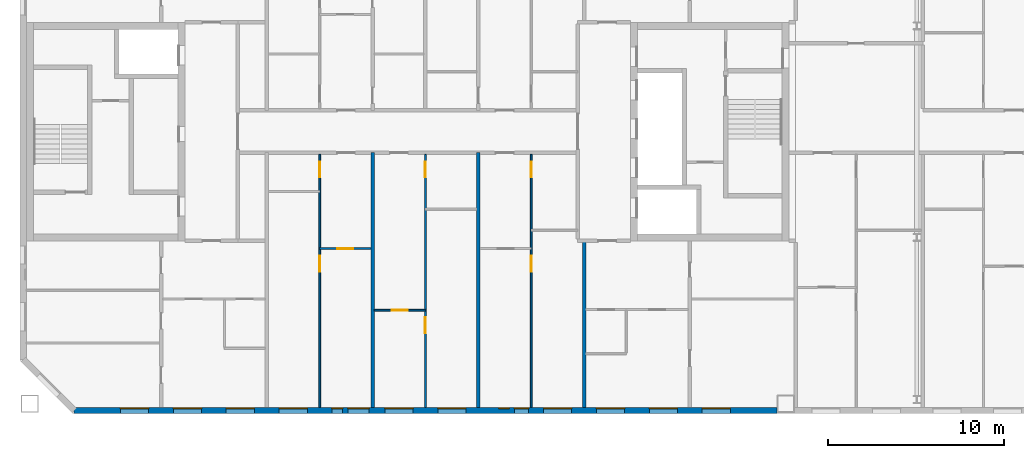
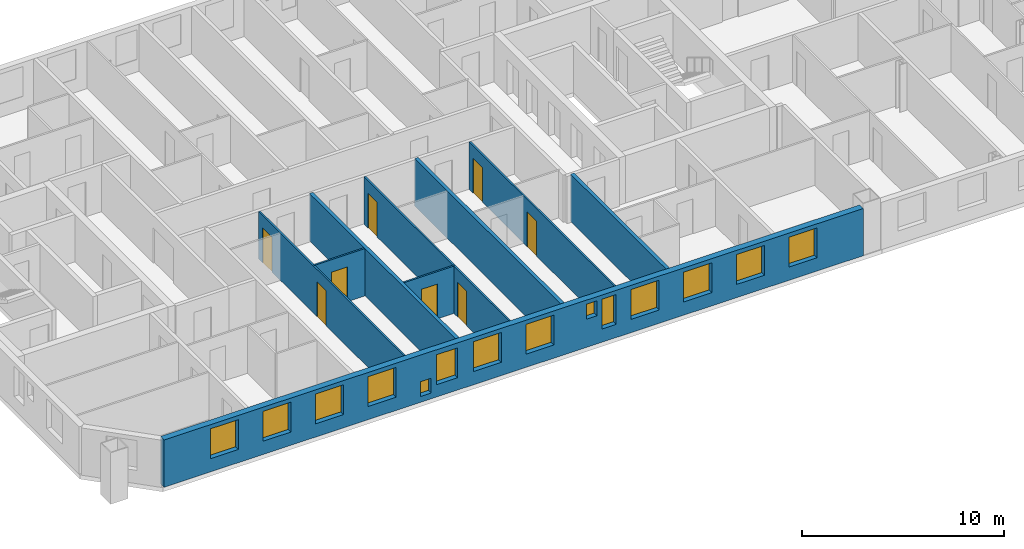
# One storey, part 5 of 19: 14 windows, 9 walls, 8 doors, 22 openings.
"""IFC4 building model written with IfcOpenShell, lengths in metres."""

from ifc_helpers import new_model, si_unit, direction, frame, frame_2d, origin, place, context, subcontext, project, spatial, rectangle, extrude, material, layer, layer_set, type_object, element, fill, save


model = new_model("IFC4")

# Units and contexts
model_context = context("Model", 3, precision=1e-05, world=origin(), true_north=direction((0.0, 1.0)))
body_context = subcontext(model_context, "Body", "Model", "MODEL_VIEW")
ifc_project = project(units=[si_unit("LENGTHUNIT", "METRE"), si_unit("AREAUNIT", "SQUARE_METRE"), si_unit("VOLUMEUNIT", "CUBIC_METRE"), si_unit("PLANEANGLEUNIT", "RADIAN"), si_unit("MASSUNIT", "GRAM", prefix="KILO")], contexts=[model_context])

# Site, building, storey
site_placement = place(None, origin())
site = spatial("IfcSite", under=ifc_project, at=site_placement, CompositionType="ELEMENT")
building_placement = place(site_placement, origin())
building = spatial("IfcBuilding", under=site, at=building_placement, Name="Tuart Gate Housing", CompositionType="ELEMENT")
storey_placement = place(building_placement, frame((0.0, 0.0, 227.60009765625)))
storey = spatial("IfcBuildingStorey", under=building, at=storey_placement, Name="L64", CompositionType="ELEMENT", Elevation=227.60009765625)

# Wall, openings, windows
ifc_material_1 = material(Name="Brick", Category="masonry")
ifc_layer_1 = layer(ifc_material_1, 0.360107421875)
ifc_layer_set_1 = layer_set([ifc_layer_1], Name="Brick pier and spandrel wall 360")
wall_type_1 = type_object("IfcWallType", Name="Brick pier and spandrel wall 360", PredefinedType="STANDARD", material=ifc_layer_set_1)
wall_1_placement = place(storey_placement, frame((35.07470703125, 54.179931640625, 0.0), z_axis=(0.0, 0.0, 1.0), x_axis=(1.0, 0.0, 0.0)))
wall_1 = element("IfcWall", 1, at=wall_1_placement, inside=storey, type_object=wall_type_1, Name="External wall BLK-S L64", PredefinedType="STANDARD", context=body_context, shape_type="SweptSolid", body=[
    extrude(rectangle(XDim=39.875244140625, YDim=0.360107421875, at=frame_2d((19.9375, 0.0))), origin(), (0.0, 0.0, 1.0), 2.849853515625),
])
opening_1_placement = place(wall_1_placement, frame((2.62548828125, 0.0, 0.800048828125)))
opening_1 = element("IfcOpeningElement", 2, at=opening_1_placement, cuts=wall_1, Name="Opening W1", PredefinedType="OPENING", context=body_context, shape_type="SweptSolid", body=[
    extrude(rectangle(XDim=1.60009765625, YDim=1.800048828125, at=frame_2d((0.800048828125, 0.89990234375))), frame((0.0, 0.18994140625, 0.0), z_axis=(0.0, -1.0, 0.0), x_axis=(1.0, 0.0, 0.0)), (0.0, 0.0, 1.0), 0.380126953125),
])
opening_2_placement = place(wall_1_placement, frame((5.62548828125, 0.0, 0.800048828125)))
opening_2 = element("IfcOpeningElement", 3, at=opening_2_placement, cuts=wall_1, Name="Opening W1", PredefinedType="OPENING", context=body_context, shape_type="SweptSolid", body=[
    extrude(rectangle(XDim=1.60009765625, YDim=1.800048828125, at=frame_2d((0.800048828125, 0.89990234375))), frame((0.0, 0.18994140625, 0.0), z_axis=(0.0, -1.0, 0.0), x_axis=(1.0, 0.0, 0.0)), (0.0, 0.0, 1.0), 0.380126953125),
])
opening_3_placement = place(wall_1_placement, frame((8.62548828125, 0.0, 0.800048828125)))
opening_3 = element("IfcOpeningElement", 4, at=opening_3_placement, cuts=wall_1, Name="Opening W1", PredefinedType="OPENING", context=body_context, shape_type="SweptSolid", body=[
    extrude(rectangle(XDim=1.60009765625, YDim=1.800048828125, at=frame_2d((0.800048828125, 0.89990234375))), frame((0.0, 0.18994140625, 0.0), z_axis=(0.0, -1.0, 0.0), x_axis=(1.0, 0.0, 0.0)), (0.0, 0.0, 1.0), 0.380126953125),
])
opening_4_placement = place(wall_1_placement, frame((11.62548828125, 0.0, 0.800048828125)))
opening_4 = element("IfcOpeningElement", 5, at=opening_4_placement, cuts=wall_1, Name="Opening W1", PredefinedType="OPENING", context=body_context, shape_type="SweptSolid", body=[
    extrude(rectangle(XDim=1.60009765625, YDim=1.800048828125, at=frame_2d((0.800048828125, 0.89990234375))), frame((0.0, 0.18994140625, 0.0), z_axis=(0.0, -1.0, 0.0), x_axis=(1.0, 0.0, 0.0)), (0.0, 0.0, 1.0), 0.380126953125),
])
opening_5_placement = place(wall_1_placement, frame((14.62548828125, 0.0, 0.35009765625)))
opening_5 = element("IfcOpeningElement", 6, at=opening_5_placement, cuts=wall_1, Name="Opening W1W", PredefinedType="OPENING", context=body_context, shape_type="SweptSolid", body=[
    extrude(rectangle(XDim=0.60009765625, YDim=0.89990234375, at=frame_2d((0.300048828125, 0.449951171875))), frame((0.0, 0.18994140625, 0.0), z_axis=(0.0, -1.0, 0.0), x_axis=(1.0, 0.0, 0.0)), (0.0, 0.0, 1.0), 0.380126953125),
])
opening_6_placement = place(wall_1_placement, frame((17.62548828125, 0.0, 0.800048828125)))
opening_6 = element("IfcOpeningElement", 7, at=opening_6_placement, cuts=wall_1, Name="Opening W1", PredefinedType="OPENING", context=body_context, shape_type="SweptSolid", body=[
    extrude(rectangle(XDim=1.60009765625, YDim=1.800048828125, at=frame_2d((0.800048828125, 0.89990234375))), frame((0.0, 0.18994140625, 0.0), z_axis=(0.0, -1.0, 0.0), x_axis=(1.0, 0.0, 0.0)), (0.0, 0.0, 1.0), 0.380126953125),
])
opening_7_placement = place(wall_1_placement, frame((20.62548828125, 0.0, 0.800048828125)))
opening_7 = element("IfcOpeningElement", 8, at=opening_7_placement, cuts=wall_1, Name="Opening W1", PredefinedType="OPENING", context=body_context, shape_type="SweptSolid", body=[
    extrude(rectangle(XDim=1.60009765625, YDim=1.800048828125, at=frame_2d((0.800048828125, 0.89990234375))), frame((0.0, 0.18994140625, 0.0), z_axis=(0.0, -1.0, 0.0), x_axis=(1.0, 0.0, 0.0)), (0.0, 0.0, 1.0), 0.380126953125),
])
opening_8_placement = place(wall_1_placement, frame((24.075439453125, 0.0, 1.699951171875)))
opening_8 = element("IfcOpeningElement", 9, at=opening_8_placement, cuts=wall_1, Name="Opening W1W", PredefinedType="OPENING", context=body_context, shape_type="SweptSolid", body=[
    extrude(rectangle(XDim=0.60009765625, YDim=0.89990234375, at=frame_2d((0.300048828125, 0.449951171875))), frame((0.0, 0.18994140625, 0.0), z_axis=(0.0, -1.0, 0.0), x_axis=(1.0, 0.0, 0.0)), (0.0, 0.0, 1.0), 0.380126953125),
])
opening_9_placement = place(wall_1_placement, frame((26.62548828125, 0.0, 0.800048828125)))
opening_9 = element("IfcOpeningElement", 10, at=opening_9_placement, cuts=wall_1, Name="Opening W1", PredefinedType="OPENING", context=body_context, shape_type="SweptSolid", body=[
    extrude(rectangle(XDim=1.60009765625, YDim=1.800048828125, at=frame_2d((0.800048828125, 0.89990234375))), frame((0.0, 0.18994140625, 0.0), z_axis=(0.0, -1.0, 0.0), x_axis=(1.0, 0.0, 0.0)), (0.0, 0.0, 1.0), 0.380126953125),
])
opening_10_placement = place(wall_1_placement, frame((29.62548828125, 0.0, 0.800048828125)))
opening_10 = element("IfcOpeningElement", 11, at=opening_10_placement, cuts=wall_1, Name="Opening W1", PredefinedType="OPENING", context=body_context, shape_type="SweptSolid", body=[
    extrude(rectangle(XDim=1.60009765625, YDim=1.800048828125, at=frame_2d((0.800048828125, 0.89990234375))), frame((0.0, 0.18994140625, 0.0), z_axis=(0.0, -1.0, 0.0), x_axis=(1.0, 0.0, 0.0)), (0.0, 0.0, 1.0), 0.380126953125),
])
opening_11_placement = place(wall_1_placement, frame((32.62548828125, 0.0, 0.800048828125)))
opening_11 = element("IfcOpeningElement", 12, at=opening_11_placement, cuts=wall_1, Name="Opening W1", PredefinedType="OPENING", context=body_context, shape_type="SweptSolid", body=[
    extrude(rectangle(XDim=1.60009765625, YDim=1.800048828125, at=frame_2d((0.800048828125, 0.89990234375))), frame((0.0, 0.18994140625, 0.0), z_axis=(0.0, -1.0, 0.0), x_axis=(1.0, 0.0, 0.0)), (0.0, 0.0, 1.0), 0.380126953125),
])
opening_12_placement = place(wall_1_placement, frame((35.62548828125, 0.0, 0.800048828125)))
opening_12 = element("IfcOpeningElement", 13, at=opening_12_placement, cuts=wall_1, Name="Opening W1", PredefinedType="OPENING", context=body_context, shape_type="SweptSolid", body=[
    extrude(rectangle(XDim=1.60009765625, YDim=1.800048828125, at=frame_2d((0.800048828125, 0.89990234375))), frame((0.0, 0.18994140625, 0.0), z_axis=(0.0, -1.0, 0.0), x_axis=(1.0, 0.0, 0.0)), (0.0, 0.0, 1.0), 0.380126953125),
])
opening_13_placement = place(wall_1_placement, frame((15.525390625, 0.0, 0.75)))
opening_13 = element("IfcOpeningElement", 14, at=opening_13_placement, cuts=wall_1, Name="Opening W1B", PredefinedType="OPENING", context=body_context, shape_type="SweptSolid", body=[
    extrude(rectangle(XDim=1.199951171875, YDim=1.800048828125, at=frame_2d((0.60009765625, 0.89990234375))), frame((0.0, 0.18994140625, 0.0), z_axis=(0.0, -1.0, 0.0), x_axis=(1.0, 0.0, 0.0)), (0.0, 0.0, 1.0), 0.380126953125),
])
opening_14_placement = place(wall_1_placement, frame((24.975341796875, 0.0, 0.800048828125)))
opening_14 = element("IfcOpeningElement", 15, at=opening_14_placement, cuts=wall_1, Name="Opening W1D", PredefinedType="OPENING", context=body_context, shape_type="SweptSolid", body=[
    extrude(rectangle(XDim=0.800048828125, YDim=1.800048828125, at=frame_2d((0.39990234375, 0.89990234375))), frame((0.0, 0.18994140625, 0.0), z_axis=(0.0, -1.0, 0.0), x_axis=(1.0, 0.0, 0.0)), (0.0, 0.0, 1.0), 0.380126953125),
])
ifc_material_2 = material(Name="Aluminium frame with clear glass", Category="aluminium")
window_type_1 = type_object("IfcWindowType", Name="Punched window 1200 x 1800", PartitioningType="SINGLE_PANEL", PredefinedType="WINDOW", material=ifc_material_2)
window_1_placement = place(opening_13_placement, origin())
window_1 = element("IfcWindow", 16, at=window_1_placement, inside=storey, type_object=window_type_1, Name="Window W1B", OverallHeight=1.800048828125, OverallWidth=1.199951171875, PartitioningType="SINGLE_PANEL", PredefinedType="WINDOW", context=body_context, shape_type="SweptSolid", body=[
    extrude(rectangle(XDim=1.199951171875, YDim=1.800048828125, at=frame_2d((0.60009765625, 0.89990234375))), frame((0.0, 0.150146484375, 0.0), z_axis=(0.0, -1.0, 0.0), x_axis=(1.0, 0.0, 0.0)), (0.0, 0.0, 1.0), 0.06005859375),
])
fill(opening_13, window_1)
ifc_material_3 = material(Name="Aluminium frame with clear glass", Category="aluminium")
window_type_2 = type_object("IfcWindowType", Name="Punched window 1600 x 1800", PartitioningType="SINGLE_PANEL", PredefinedType="WINDOW", material=ifc_material_3)
window_2_placement = place(opening_1_placement, origin())
window_2 = element("IfcWindow", 17, at=window_2_placement, inside=storey, type_object=window_type_2, Name="Window W1", OverallHeight=1.800048828125, OverallWidth=1.60009765625, PartitioningType="SINGLE_PANEL", PredefinedType="WINDOW", context=body_context, shape_type="SweptSolid", body=[
    extrude(rectangle(XDim=1.60009765625, YDim=1.800048828125, at=frame_2d((0.800048828125, 0.89990234375))), frame((0.0, 0.150146484375, 0.0), z_axis=(0.0, -1.0, 0.0), x_axis=(1.0, 0.0, 0.0)), (0.0, 0.0, 1.0), 0.06005859375),
])
fill(opening_1, window_2)
window_3_placement = place(opening_2_placement, origin())
window_3 = element("IfcWindow", 18, at=window_3_placement, inside=storey, type_object=window_type_2, Name="Window W1", OverallHeight=1.800048828125, OverallWidth=1.60009765625, PartitioningType="SINGLE_PANEL", PredefinedType="WINDOW", context=body_context, shape_type="SweptSolid", body=[
    extrude(rectangle(XDim=1.60009765625, YDim=1.800048828125, at=frame_2d((0.800048828125, 0.89990234375))), frame((0.0, 0.150146484375, 0.0), z_axis=(0.0, -1.0, 0.0), x_axis=(1.0, 0.0, 0.0)), (0.0, 0.0, 1.0), 0.06005859375),
])
fill(opening_2, window_3)
window_4_placement = place(opening_3_placement, origin())
window_4 = element("IfcWindow", 19, at=window_4_placement, inside=storey, type_object=window_type_2, Name="Window W1", OverallHeight=1.800048828125, OverallWidth=1.60009765625, PartitioningType="SINGLE_PANEL", PredefinedType="WINDOW", context=body_context, shape_type="SweptSolid", body=[
    extrude(rectangle(XDim=1.60009765625, YDim=1.800048828125, at=frame_2d((0.800048828125, 0.89990234375))), frame((0.0, 0.150146484375, 0.0), z_axis=(0.0, -1.0, 0.0), x_axis=(1.0, 0.0, 0.0)), (0.0, 0.0, 1.0), 0.06005859375),
])
fill(opening_3, window_4)
window_5_placement = place(opening_4_placement, origin())
window_5 = element("IfcWindow", 20, at=window_5_placement, inside=storey, type_object=window_type_2, Name="Window W1", OverallHeight=1.800048828125, OverallWidth=1.60009765625, PartitioningType="SINGLE_PANEL", PredefinedType="WINDOW", context=body_context, shape_type="SweptSolid", body=[
    extrude(rectangle(XDim=1.60009765625, YDim=1.800048828125, at=frame_2d((0.800048828125, 0.89990234375))), frame((0.0, 0.150146484375, 0.0), z_axis=(0.0, -1.0, 0.0), x_axis=(1.0, 0.0, 0.0)), (0.0, 0.0, 1.0), 0.06005859375),
])
fill(opening_4, window_5)
window_6_placement = place(opening_6_placement, origin())
window_6 = element("IfcWindow", 21, at=window_6_placement, inside=storey, type_object=window_type_2, Name="Window W1", OverallHeight=1.800048828125, OverallWidth=1.60009765625, PartitioningType="SINGLE_PANEL", PredefinedType="WINDOW", context=body_context, shape_type="SweptSolid", body=[
    extrude(rectangle(XDim=1.60009765625, YDim=1.800048828125, at=frame_2d((0.800048828125, 0.89990234375))), frame((0.0, 0.150146484375, 0.0), z_axis=(0.0, -1.0, 0.0), x_axis=(1.0, 0.0, 0.0)), (0.0, 0.0, 1.0), 0.06005859375),
])
fill(opening_6, window_6)
window_7_placement = place(opening_7_placement, origin())
window_7 = element("IfcWindow", 22, at=window_7_placement, inside=storey, type_object=window_type_2, Name="Window W1", OverallHeight=1.800048828125, OverallWidth=1.60009765625, PartitioningType="SINGLE_PANEL", PredefinedType="WINDOW", context=body_context, shape_type="SweptSolid", body=[
    extrude(rectangle(XDim=1.60009765625, YDim=1.800048828125, at=frame_2d((0.800048828125, 0.89990234375))), frame((0.0, 0.150146484375, 0.0), z_axis=(0.0, -1.0, 0.0), x_axis=(1.0, 0.0, 0.0)), (0.0, 0.0, 1.0), 0.06005859375),
])
fill(opening_7, window_7)
window_8_placement = place(opening_9_placement, origin())
window_8 = element("IfcWindow", 23, at=window_8_placement, inside=storey, type_object=window_type_2, Name="Window W1", OverallHeight=1.800048828125, OverallWidth=1.60009765625, PartitioningType="SINGLE_PANEL", PredefinedType="WINDOW", context=body_context, shape_type="SweptSolid", body=[
    extrude(rectangle(XDim=1.60009765625, YDim=1.800048828125, at=frame_2d((0.800048828125, 0.89990234375))), frame((0.0, 0.150146484375, 0.0), z_axis=(0.0, -1.0, 0.0), x_axis=(1.0, 0.0, 0.0)), (0.0, 0.0, 1.0), 0.06005859375),
])
fill(opening_9, window_8)
window_9_placement = place(opening_10_placement, origin())
window_9 = element("IfcWindow", 24, at=window_9_placement, inside=storey, type_object=window_type_2, Name="Window W1", OverallHeight=1.800048828125, OverallWidth=1.60009765625, PartitioningType="SINGLE_PANEL", PredefinedType="WINDOW", context=body_context, shape_type="SweptSolid", body=[
    extrude(rectangle(XDim=1.60009765625, YDim=1.800048828125, at=frame_2d((0.800048828125, 0.89990234375))), frame((0.0, 0.150146484375, 0.0), z_axis=(0.0, -1.0, 0.0), x_axis=(1.0, 0.0, 0.0)), (0.0, 0.0, 1.0), 0.06005859375),
])
fill(opening_10, window_9)
window_10_placement = place(opening_11_placement, origin())
window_10 = element("IfcWindow", 25, at=window_10_placement, inside=storey, type_object=window_type_2, Name="Window W1", OverallHeight=1.800048828125, OverallWidth=1.60009765625, PartitioningType="SINGLE_PANEL", PredefinedType="WINDOW", context=body_context, shape_type="SweptSolid", body=[
    extrude(rectangle(XDim=1.60009765625, YDim=1.800048828125, at=frame_2d((0.800048828125, 0.89990234375))), frame((0.0, 0.150146484375, 0.0), z_axis=(0.0, -1.0, 0.0), x_axis=(1.0, 0.0, 0.0)), (0.0, 0.0, 1.0), 0.06005859375),
])
fill(opening_11, window_10)
window_11_placement = place(opening_12_placement, origin())
window_11 = element("IfcWindow", 26, at=window_11_placement, inside=storey, type_object=window_type_2, Name="Window W1", OverallHeight=1.800048828125, OverallWidth=1.60009765625, PartitioningType="SINGLE_PANEL", PredefinedType="WINDOW", context=body_context, shape_type="SweptSolid", body=[
    extrude(rectangle(XDim=1.60009765625, YDim=1.800048828125, at=frame_2d((0.800048828125, 0.89990234375))), frame((0.0, 0.150146484375, 0.0), z_axis=(0.0, -1.0, 0.0), x_axis=(1.0, 0.0, 0.0)), (0.0, 0.0, 1.0), 0.06005859375),
])
fill(opening_12, window_11)
ifc_material_4 = material(Name="Aluminium frame with clear glass", Category="aluminium")
window_type_3 = type_object("IfcWindowType", Name="Punched window 600 x 900", PartitioningType="SINGLE_PANEL", PredefinedType="WINDOW", material=ifc_material_4)
window_12_placement = place(opening_5_placement, origin())
window_12 = element("IfcWindow", 27, at=window_12_placement, inside=storey, type_object=window_type_3, Name="Window W1W", OverallHeight=0.89990234375, OverallWidth=0.60009765625, PartitioningType="SINGLE_PANEL", PredefinedType="WINDOW", context=body_context, shape_type="SweptSolid", body=[
    extrude(rectangle(XDim=0.60009765625, YDim=0.89990234375, at=frame_2d((0.300048828125, 0.449951171875))), frame((0.0, 0.150146484375, 0.0), z_axis=(0.0, -1.0, 0.0), x_axis=(1.0, 0.0, 0.0)), (0.0, 0.0, 1.0), 0.06005859375),
])
fill(opening_5, window_12)
window_13_placement = place(opening_8_placement, origin())
window_13 = element("IfcWindow", 28, at=window_13_placement, inside=storey, type_object=window_type_3, Name="Window W1W", OverallHeight=0.89990234375, OverallWidth=0.60009765625, PartitioningType="SINGLE_PANEL", PredefinedType="WINDOW", context=body_context, shape_type="SweptSolid", body=[
    extrude(rectangle(XDim=0.60009765625, YDim=0.89990234375, at=frame_2d((0.300048828125, 0.449951171875))), frame((0.0, 0.150146484375, 0.0), z_axis=(0.0, -1.0, 0.0), x_axis=(1.0, 0.0, 0.0)), (0.0, 0.0, 1.0), 0.06005859375),
])
fill(opening_8, window_13)
ifc_material_5 = material(Name="Aluminium frame with clear glass", Category="aluminium")
window_type_4 = type_object("IfcWindowType", Name="Punched window 800 x 1800", PartitioningType="SINGLE_PANEL", PredefinedType="WINDOW", material=ifc_material_5)
window_14_placement = place(opening_14_placement, origin())
window_14 = element("IfcWindow", 29, at=window_14_placement, inside=storey, type_object=window_type_4, Name="Window W1D", OverallHeight=1.800048828125, OverallWidth=0.800048828125, PartitioningType="SINGLE_PANEL", PredefinedType="WINDOW", context=body_context, shape_type="SweptSolid", body=[
    extrude(rectangle(XDim=0.800048828125, YDim=1.800048828125, at=frame_2d((0.39990234375, 0.89990234375))), frame((0.0, 0.150146484375, 0.0), z_axis=(0.0, -1.0, 0.0), x_axis=(1.0, 0.0, 0.0)), (0.0, 0.0, 1.0), 0.06005859375),
])
fill(opening_14, window_14)

# Wall, opening, door
ifc_material_6 = material(Name="Gypsum board on steel studs", Category="steel")
ifc_layer_2 = layer(ifc_material_6, 0.10009765625)
ifc_layer_set_2 = layer_set([ifc_layer_2], Name="Partition 100")
wall_type_2 = type_object("IfcWallType", Name="Partition 100", PredefinedType="PARTITIONING", material=ifc_layer_set_2)
wall_2_placement = place(storey_placement, frame((52.10009765625, 59.860107421875, 0.0), z_axis=(0.0, 0.0, 1.0), x_axis=(1.0, 0.0, 0.0)))
wall_2 = element("IfcWall", 30, at=wall_2_placement, inside=storey, type_object=wall_type_2, Name="Partition 100", PredefinedType="PARTITIONING", context=body_context, shape_type="SweptSolid", body=[
    extrude(rectangle(XDim=2.89990234375, YDim=0.10009765625, at=frame_2d((1.449951171875, 0.0))), origin(), (0.0, 0.0, 1.0), 2.849853515625),
])
opening_15_placement = place(wall_2_placement, frame((1.0, 0.0, 0.0)))
opening_15 = element("IfcOpeningElement", 31, at=opening_15_placement, cuts=wall_2, Name="Opening D2327", PredefinedType="OPENING", context=body_context, shape_type="SweptSolid", body=[
    extrude(rectangle(XDim=0.89990234375, YDim=2.10009765625, at=frame_2d((0.449951171875, 1.050048828125))), frame((0.0, 0.06005859375, 0.0), z_axis=(0.0, -1.0, 0.0), x_axis=(1.0, 0.0, 0.0)), (0.0, 0.0, 1.0), 0.1201171875),
])
ifc_material_7 = material(Name="Timber door leaf in steel frame", Category="steel")
door_type_1 = type_object("IfcDoorType", Name="Internal door 900 RH", OperationType="SINGLE_SWING_RIGHT", PredefinedType="DOOR", material=ifc_material_7)
door_1_placement = place(opening_15_placement, origin())
door_1 = element("IfcDoor", 32, at=door_1_placement, inside=storey, type_object=door_type_1, Name="Internal door", OperationType="SINGLE_SWING_RIGHT", OverallHeight=2.10009765625, OverallWidth=0.89990234375, PredefinedType="DOOR", context=body_context, shape_type="SweptSolid", body=[
    extrude(rectangle(XDim=0.89990234375, YDim=2.10009765625, at=frame_2d((0.449951171875, 1.050048828125))), frame((0.0, 0.02490234375, 0.0), z_axis=(0.0, -1.0, 0.0), x_axis=(1.0, 0.0, 0.0)), (0.0, 0.0, 1.0), 0.050048828125),
])
fill(opening_15, door_1)

wall_3_placement = place(storey_placement, frame((49.0, 63.360107421875, 0.0), z_axis=(0.0, 0.0, 1.0), x_axis=(1.0, 0.0, 0.0)))
wall_3 = element("IfcWall", 33, at=wall_3_placement, inside=storey, type_object=wall_type_2, Name="Partition 100", PredefinedType="PARTITIONING", context=body_context, shape_type="SweptSolid", body=[
    extrude(rectangle(XDim=2.89990234375, YDim=0.10009765625, at=frame_2d((1.449951171875, 0.0))), origin(), (0.0, 0.0, 1.0), 2.849853515625),
])
opening_16_placement = place(wall_3_placement, frame((1.0, 0.0, 0.0)))
opening_16 = element("IfcOpeningElement", 34, at=opening_16_placement, cuts=wall_3, Name="Opening D2315", PredefinedType="OPENING", context=body_context, shape_type="SweptSolid", body=[
    extrude(rectangle(XDim=0.89990234375, YDim=2.10009765625, at=frame_2d((0.449951171875, 1.050048828125))), frame((0.0, 0.06005859375, 0.0), z_axis=(0.0, -1.0, 0.0), x_axis=(1.0, 0.0, 0.0)), (0.0, 0.0, 1.0), 0.1201171875),
])
ifc_material_8 = material(Name="Timber door leaf in steel frame", Category="steel")
door_type_2 = type_object("IfcDoorType", Name="Internal door 900", OperationType="SINGLE_SWING_LEFT", PredefinedType="DOOR", material=ifc_material_8)
door_2_placement = place(opening_16_placement, origin())
door_2 = element("IfcDoor", 35, at=door_2_placement, inside=storey, type_object=door_type_2, Name="Internal door", OperationType="SINGLE_SWING_LEFT", OverallHeight=2.10009765625, OverallWidth=0.89990234375, PredefinedType="DOOR", context=body_context, shape_type="SweptSolid", body=[
    extrude(rectangle(XDim=0.89990234375, YDim=2.10009765625, at=frame_2d((0.449951171875, 1.050048828125))), frame((0.0, 0.02490234375, 0.0), z_axis=(0.0, -1.0, 0.0), x_axis=(1.0, 0.0, 0.0)), (0.0, 0.0, 1.0), 0.050048828125),
])
fill(opening_16, door_2)

# Wall, openings, doors
wall_4_placement = place(storey_placement, frame((49.0, 54.360107421875, 0.0), z_axis=(0.0, 0.0, 1.0), x_axis=(0.0, 1.0, 0.0)))
wall_4 = element("IfcWall", 36, at=wall_4_placement, inside=storey, type_object=wall_type_2, Name="Partition 100", PredefinedType="PARTITIONING", context=body_context, shape_type="SweptSolid", body=[
    extrude(rectangle(XDim=14.33984375, YDim=0.10009765625, at=frame_2d((7.169921875, 0.0))), origin(), (0.0, 0.0, 1.0), 2.849853515625),
])
opening_17_placement = place(wall_4_placement, frame((7.699951171875, 0.0, 0.0)))
opening_17 = element("IfcOpeningElement", 37, at=opening_17_placement, cuts=wall_4, Name="Opening D2318", PredefinedType="OPENING", context=body_context, shape_type="SweptSolid", body=[
    extrude(rectangle(XDim=0.89990234375, YDim=2.10009765625, at=frame_2d((0.449951171875, 1.050048828125))), frame((0.0, 0.06005859375, 0.0), z_axis=(0.0, -1.0, 0.0), x_axis=(1.0, 0.0, 0.0)), (0.0, 0.0, 1.0), 0.1201171875),
])
opening_18_placement = place(wall_4_placement, frame((13.0400390625, 0.0, 0.0)))
opening_18 = element("IfcOpeningElement", 38, at=opening_18_placement, cuts=wall_4, Name="Opening D2317", PredefinedType="OPENING", context=body_context, shape_type="SweptSolid", body=[
    extrude(rectangle(XDim=0.89990234375, YDim=2.10009765625, at=frame_2d((0.449951171875, 1.050048828125))), frame((0.0, 0.06005859375, 0.0), z_axis=(0.0, -1.0, 0.0), x_axis=(1.0, 0.0, 0.0)), (0.0, 0.0, 1.0), 0.1201171875),
])
ifc_material_9 = material(Name="Timber door leaf in steel frame", Category="steel")
door_type_3 = type_object("IfcDoorType", Name="Bathroom door 900 RH", OperationType="SINGLE_SWING_RIGHT", PredefinedType="DOOR", material=ifc_material_9)
door_3_placement = place(opening_18_placement, origin())
door_3 = element("IfcDoor", 39, at=door_3_placement, inside=storey, type_object=door_type_3, Name="Bathroom door", OperationType="SINGLE_SWING_RIGHT", OverallHeight=2.10009765625, OverallWidth=0.89990234375, PredefinedType="DOOR", context=body_context, shape_type="SweptSolid", body=[
    extrude(rectangle(XDim=0.89990234375, YDim=2.10009765625, at=frame_2d((0.449951171875, 1.050048828125))), frame((0.0, 0.02490234375, 0.0), z_axis=(0.0, -1.0, 0.0), x_axis=(1.0, 0.0, 0.0)), (0.0, 0.0, 1.0), 0.050048828125),
])
fill(opening_18, door_3)
door_4_placement = place(opening_17_placement, origin())
door_4 = element("IfcDoor", 40, at=door_4_placement, inside=storey, type_object=door_type_1, Name="Internal door", OperationType="SINGLE_SWING_RIGHT", OverallHeight=2.10009765625, OverallWidth=0.89990234375, PredefinedType="DOOR", context=body_context, shape_type="SweptSolid", body=[
    extrude(rectangle(XDim=0.89990234375, YDim=2.10009765625, at=frame_2d((0.449951171875, 1.050048828125))), frame((0.0, 0.02490234375, 0.0), z_axis=(0.0, -1.0, 0.0), x_axis=(1.0, 0.0, 0.0)), (0.0, 0.0, 1.0), 0.050048828125),
])
fill(opening_17, door_4)

wall_5_placement = place(storey_placement, frame((55.0, 54.360107421875, 0.0), z_axis=(0.0, 0.0, 1.0), x_axis=(0.0, 1.0, 0.0)))
wall_5 = element("IfcWall", 41, at=wall_5_placement, inside=storey, type_object=wall_type_2, Name="Partition 100", PredefinedType="PARTITIONING", context=body_context, shape_type="SweptSolid", body=[
    extrude(rectangle(XDim=14.33984375, YDim=0.10009765625, at=frame_2d((7.169921875, 0.0))), origin(), (0.0, 0.0, 1.0), 2.849853515625),
])
opening_19_placement = place(wall_5_placement, frame((4.199951171875, 0.0, 0.0)))
opening_19 = element("IfcOpeningElement", 42, at=opening_19_placement, cuts=wall_5, Name="Opening D2320", PredefinedType="OPENING", context=body_context, shape_type="SweptSolid", body=[
    extrude(rectangle(XDim=0.89990234375, YDim=2.10009765625, at=frame_2d((0.449951171875, 1.050048828125))), frame((0.0, 0.06005859375, 0.0), z_axis=(0.0, -1.0, 0.0), x_axis=(1.0, 0.0, 0.0)), (0.0, 0.0, 1.0), 0.1201171875),
])
opening_20_placement = place(wall_5_placement, frame((13.0400390625, 0.0, 0.0)))
opening_20 = element("IfcOpeningElement", 43, at=opening_20_placement, cuts=wall_5, Name="Opening D2319", PredefinedType="OPENING", context=body_context, shape_type="SweptSolid", body=[
    extrude(rectangle(XDim=0.89990234375, YDim=2.10009765625, at=frame_2d((0.449951171875, 1.050048828125))), frame((0.0, 0.06005859375, 0.0), z_axis=(0.0, -1.0, 0.0), x_axis=(1.0, 0.0, 0.0)), (0.0, 0.0, 1.0), 0.1201171875),
])
ifc_material_10 = material(Name="Timber door leaf in steel frame", Category="steel")
door_type_4 = type_object("IfcDoorType", Name="Bathroom door 900", OperationType="SINGLE_SWING_LEFT", PredefinedType="DOOR", material=ifc_material_10)
door_5_placement = place(opening_20_placement, frame((0.89990234375, 0.0, 0.0), z_axis=(0.0, 0.0, 1.0), x_axis=(-1.0, 0.0, 0.0)))
door_5 = element("IfcDoor", 44, at=door_5_placement, inside=storey, type_object=door_type_4, Name="Bathroom door", OperationType="SINGLE_SWING_LEFT", OverallHeight=2.10009765625, OverallWidth=0.89990234375, PredefinedType="DOOR", context=body_context, shape_type="SweptSolid", body=[
    extrude(rectangle(XDim=0.89990234375, YDim=2.10009765625, at=frame_2d((0.449951171875, 1.050048828125))), frame((0.0, 0.025146484375, 0.0), z_axis=(0.0, -1.0, 0.0), x_axis=(1.0, 0.0, 0.0)), (0.0, 0.0, 1.0), 0.050048828125),
])
fill(opening_20, door_5)
door_6_placement = place(opening_19_placement, frame((0.89990234375, 0.0, 0.0), z_axis=(0.0, 0.0, 1.0), x_axis=(-1.0, 0.0, 0.0)))
door_6 = element("IfcDoor", 45, at=door_6_placement, inside=storey, type_object=door_type_1, Name="Internal door", OperationType="SINGLE_SWING_RIGHT", OverallHeight=2.10009765625, OverallWidth=0.89990234375, PredefinedType="DOOR", context=body_context, shape_type="SweptSolid", body=[
    extrude(rectangle(XDim=0.89990234375, YDim=2.10009765625, at=frame_2d((0.449951171875, 1.050048828125))), frame((0.0, 0.025146484375, 0.0), z_axis=(0.0, -1.0, 0.0), x_axis=(1.0, 0.0, 0.0)), (0.0, 0.0, 1.0), 0.050048828125),
])
fill(opening_19, door_6)

wall_6_placement = place(storey_placement, frame((61.0, 54.360107421875, 0.0), z_axis=(0.0, 0.0, 1.0), x_axis=(0.0, 1.0, 0.0)))
wall_6 = element("IfcWall", 46, at=wall_6_placement, inside=storey, type_object=wall_type_2, Name="Partition 100", PredefinedType="PARTITIONING", context=body_context, shape_type="SweptSolid", body=[
    extrude(rectangle(XDim=14.33984375, YDim=0.10009765625, at=frame_2d((7.169921875, 0.0))), origin(), (0.0, 0.0, 1.0), 2.849853515625),
])
opening_21_placement = place(wall_6_placement, frame((7.699951171875, 0.0, 0.0)))
opening_21 = element("IfcOpeningElement", 47, at=opening_21_placement, cuts=wall_6, Name="Opening D2322", PredefinedType="OPENING", context=body_context, shape_type="SweptSolid", body=[
    extrude(rectangle(XDim=0.89990234375, YDim=2.10009765625, at=frame_2d((0.449951171875, 1.050048828125))), frame((0.0, 0.06005859375, 0.0), z_axis=(0.0, -1.0, 0.0), x_axis=(1.0, 0.0, 0.0)), (0.0, 0.0, 1.0), 0.1201171875),
])
opening_22_placement = place(wall_6_placement, frame((13.0400390625, 0.0, 0.0)))
opening_22 = element("IfcOpeningElement", 48, at=opening_22_placement, cuts=wall_6, Name="Opening D2321", PredefinedType="OPENING", context=body_context, shape_type="SweptSolid", body=[
    extrude(rectangle(XDim=0.89990234375, YDim=2.10009765625, at=frame_2d((0.449951171875, 1.050048828125))), frame((0.0, 0.06005859375, 0.0), z_axis=(0.0, -1.0, 0.0), x_axis=(1.0, 0.0, 0.0)), (0.0, 0.0, 1.0), 0.1201171875),
])
door_7_placement = place(opening_22_placement, frame((0.89990234375, 0.0, 0.0), z_axis=(0.0, 0.0, 1.0), x_axis=(-1.0, 0.0, 0.0)))
door_7 = element("IfcDoor", 49, at=door_7_placement, inside=storey, type_object=door_type_4, Name="Bathroom door", OperationType="SINGLE_SWING_LEFT", OverallHeight=2.10009765625, OverallWidth=0.89990234375, PredefinedType="DOOR", context=body_context, shape_type="SweptSolid", body=[
    extrude(rectangle(XDim=0.89990234375, YDim=2.10009765625, at=frame_2d((0.449951171875, 1.050048828125))), frame((0.0, 0.025146484375, 0.0), z_axis=(0.0, -1.0, 0.0), x_axis=(1.0, 0.0, 0.0)), (0.0, 0.0, 1.0), 0.050048828125),
])
fill(opening_22, door_7)
door_8_placement = place(opening_21_placement, frame((0.89990234375, 0.0, 0.0), z_axis=(0.0, 0.0, 1.0), x_axis=(-1.0, 0.0, 0.0)))
door_8 = element("IfcDoor", 50, at=door_8_placement, inside=storey, type_object=door_type_2, Name="Internal door", OperationType="SINGLE_SWING_LEFT", OverallHeight=2.10009765625, OverallWidth=0.89990234375, PredefinedType="DOOR", context=body_context, shape_type="SweptSolid", body=[
    extrude(rectangle(XDim=0.89990234375, YDim=2.10009765625, at=frame_2d((0.449951171875, 1.050048828125))), frame((0.0, 0.025146484375, 0.0), z_axis=(0.0, -1.0, 0.0), x_axis=(1.0, 0.0, 0.0)), (0.0, 0.0, 1.0), 0.050048828125),
])
fill(opening_21, door_8)

# Walls
ifc_material_11 = material(Name="Concrete C40", Category="concrete")
ifc_layer_3 = layer(ifc_material_11, 0.199951171875)
ifc_layer_set_3 = layer_set([ifc_layer_3], Name="Party wall concrete C40 200")
wall_type_3 = type_object("IfcWallType", Name="Party wall concrete C40 200", PredefinedType="SOLIDWALL", material=ifc_layer_set_3)
for number, where, z_axis, x_axis, name in (
    (51, (52.0, 54.360107421875, 0.0), (0.0, 0.0, 1.0), (0.0, 1.0, 0.0), "Party wall concrete C40 200"),
    (52, (58.0, 54.360107421875, 0.0), (0.0, 0.0, 1.0), (0.0, 1.0, 0.0), "Party wall concrete C40 200"),
):
    element("IfcWall", number, at=place(storey_placement, frame(where, z_axis=z_axis, x_axis=x_axis)), inside=storey, type_object=wall_type_3, Name=name, PredefinedType="SOLIDWALL", context=body_context, shape_type="SweptSolid", body=[
        extrude(rectangle(XDim=14.43994140625, YDim=0.199951171875, at=frame_2d((7.219970703125, 0.0))), origin(), (0.0, 0.0, 1.0), 2.849853515625),
    ])
wall_7_placement = place(storey_placement, frame((64.0, 54.360107421875, 0.0), z_axis=(0.0, 0.0, 1.0), x_axis=(0.0, 1.0, 0.0)))
element("IfcWall", 53, at=wall_7_placement, inside=storey, type_object=wall_type_3, Name="Party wall concrete C40 200", PredefinedType="SOLIDWALL", context=body_context, shape_type="SweptSolid", body=[
    extrude(rectangle(XDim=9.43994140625, YDim=0.199951171875, at=frame_2d((4.719970703125, 0.0))), origin(), (0.0, 0.0, 1.0), 2.849853515625),
])

save(model, "model.ifc")
